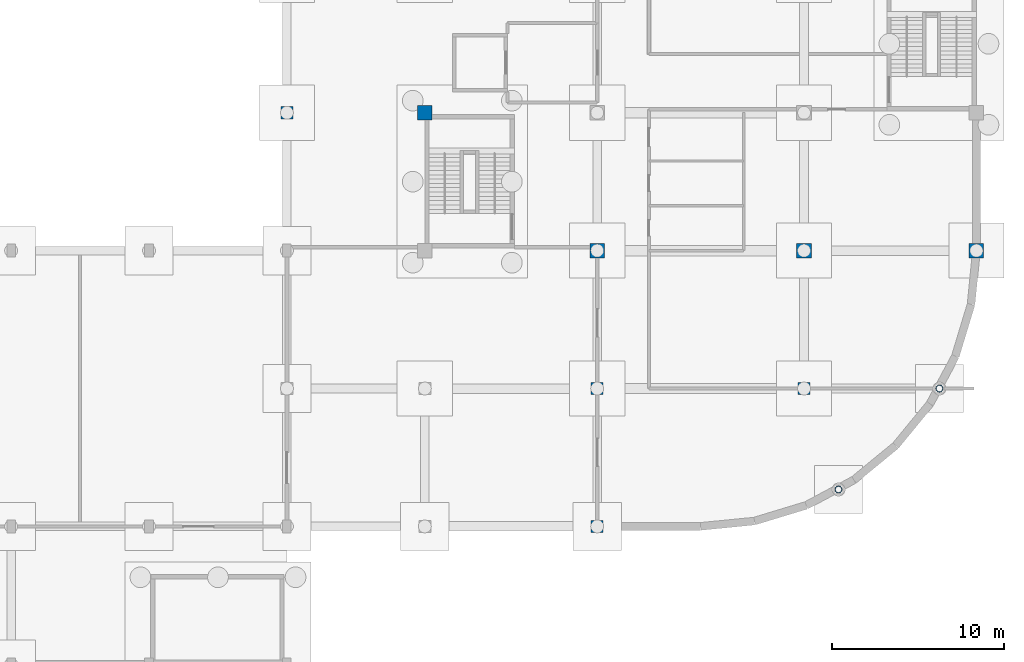
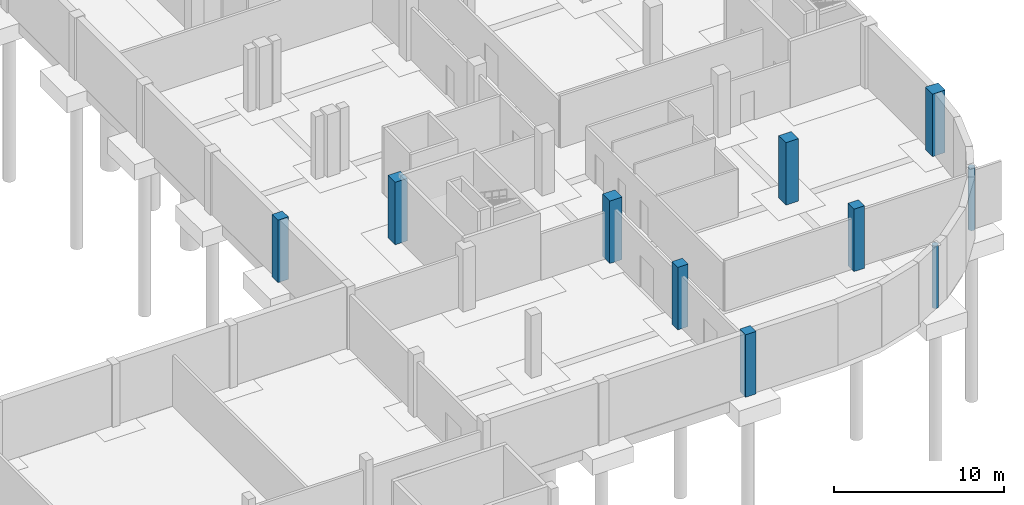
# One storey, part 14 of 29: 10 columns.
"""IFC4 building model written with IfcOpenShell, lengths in metres."""

from ifc_helpers import new_model, si_unit, direction, frame, origin, origin_2d, place, context, subcontext, project, spatial, rectangle, hollow_circle, extrude, material, material_profile, profile_set, type_object, element, save


model = new_model("IFC4")

# Units and contexts
model_context = context("Model", 3, precision=1e-05, world=origin(), true_north=direction((0.0, 1.0)))
body_context = subcontext(model_context, "Body", "Model", "MODEL_VIEW")
ifc_project = project(units=[si_unit("LENGTHUNIT", "METRE"), si_unit("AREAUNIT", "SQUARE_METRE"), si_unit("VOLUMEUNIT", "CUBIC_METRE"), si_unit("PLANEANGLEUNIT", "RADIAN"), si_unit("MASSUNIT", "GRAM", prefix="KILO")], contexts=[model_context])

# Site, building, storey
site_placement = place(None, origin())
site = spatial("IfcSite", under=ifc_project, at=site_placement, CompositionType="ELEMENT")
building_placement = place(site_placement, origin())
building = spatial("IfcBuilding", under=site, at=building_placement, Name="Drelvana Railside Aquatics Centre", CompositionType="ELEMENT")
storey_placement = place(building_placement, frame((0.0, 0.0, -4.800048828125)))
storey = spatial("IfcBuildingStorey", under=building, at=storey_placement, Name="B1", CompositionType="ELEMENT", Elevation=-4.800048828125)

# Columns
ifc_material_1 = material(Name="Concrete C40/50", Category="concrete")
ifc_material_profile_1 = material_profile(ifc_material_1, rectangle(XDim=0.699951171875, YDim=0.699951171875, at=origin_2d()), Name="RC 700x700")
ifc_profile_set_1 = profile_set([ifc_material_profile_1], Name="Concrete C40/50")
column_type_1 = type_object("IfcColumnType", Name="STR-COL-RC-700x700", PredefinedType="COLUMN", material=ifc_profile_set_1)
for number, where, z_axis, x_axis, name in (
    (1, (162.0, 8.0, 0.0), (0.0, 0.0, 1.0), (1.0, 0.0, 0.0), "Column C-06 (B1)"),
    (2, (162.0, 16.0, 0.0), (0.0, 0.0, 1.0), (1.0, 0.0, 0.0), "Column C-06 (B1)"),
    (3, (174.0, 16.0, 0.0), (0.0, 0.0, 1.0), (1.0, 0.0, 0.0), "Column C-06 (B1)"),
    (4, (144.0, 32.0, 0.0), (0.0, 0.0, 1.0), (1.0, 0.0, 0.0), "Column C-06 (B1)"),
):
    element("IfcColumn", number, at=place(storey_placement, frame(where, z_axis=z_axis, x_axis=x_axis)), inside=storey, type_object=column_type_1, Name=name, PredefinedType="COLUMN", context=body_context, shape_type="SweptSolid", body=[
        extrude(rectangle(XDim=0.699951171875, YDim=0.699951171875, at=origin_2d()), origin(), (0.0, 0.0, 1.0), 4.5),
    ])
ifc_material_profile_2 = material_profile(ifc_material_1, rectangle(XDim=0.85009765625, YDim=0.85009765625, at=origin_2d()), Name="RC 850x850")
ifc_profile_set_2 = profile_set([ifc_material_profile_2], Name="Concrete C40/50")
column_type_2 = type_object("IfcColumnType", Name="STR-COL-RC-850x850", PredefinedType="COLUMN", material=ifc_profile_set_2)
for number, where, z_axis, x_axis, name in (
    (5, (162.0, 24.0, 0.0), (0.0, 0.0, 1.0), (1.0, 0.0, 0.0), "Column C-09 (B1)"),
    (6, (174.0, 24.0, 0.0), (0.0, 0.0, 1.0), (1.0, 0.0, 0.0), "Column C-09 (B1)"),
    (7, (184.0, 24.0, 0.0), (0.0, 0.0, 1.0), (1.0, 0.0, 0.0), "Column C-09 (B1)"),
    (8, (152.0, 32.0, 0.0), (0.0, 0.0, 1.0), (1.0, 0.0, 0.0), "Column C-09 (B1)"),
):
    element("IfcColumn", number, at=place(storey_placement, frame(where, z_axis=z_axis, x_axis=x_axis)), inside=storey, type_object=column_type_2, Name=name, PredefinedType="COLUMN", context=body_context, shape_type="SweptSolid", body=[
        extrude(rectangle(XDim=0.85009765625, YDim=0.85009765625, at=origin_2d()), origin(), (0.0, 0.0, 1.0), 4.5),
    ])
ifc_material_2 = material(Name="Structural steel S355", Category="steel")
ifc_material_profile_3 = material_profile(ifc_material_2, hollow_circle(Radius=0.203125, WallThickness=0.01611328125, at=origin_2d()), Name="CHS 406.4x16")
ifc_profile_set_3 = profile_set([ifc_material_profile_3], Name="Structural steel S355")
column_type_3 = type_object("IfcColumnType", Name="STR-SCOL-CHS-406.4x16", PredefinedType="COLUMN", material=ifc_profile_set_3)
for number, where, z_axis, x_axis, name in (
    (9, (176.0, 10.1435546875, 0.0), (0.0, 0.0, 1.0), (1.0, 0.0, 0.0), "Column SC-06 (B1)"),
    (10, (181.8564453125, 16.0, 0.0), (0.0, 0.0, 1.0), (1.0, 0.0, 0.0), "Column SC-06 (B1)"),
):
    element("IfcColumn", number, at=place(storey_placement, frame(where, z_axis=z_axis, x_axis=x_axis)), inside=storey, type_object=column_type_3, Name=name, PredefinedType="COLUMN", context=body_context, shape_type="SweptSolid", body=[
        extrude(hollow_circle(Radius=0.203125, WallThickness=0.01611328125, at=origin_2d()), origin(), (0.0, 0.0, 1.0), 4.5),
    ])

save(model, "model.ifc")
